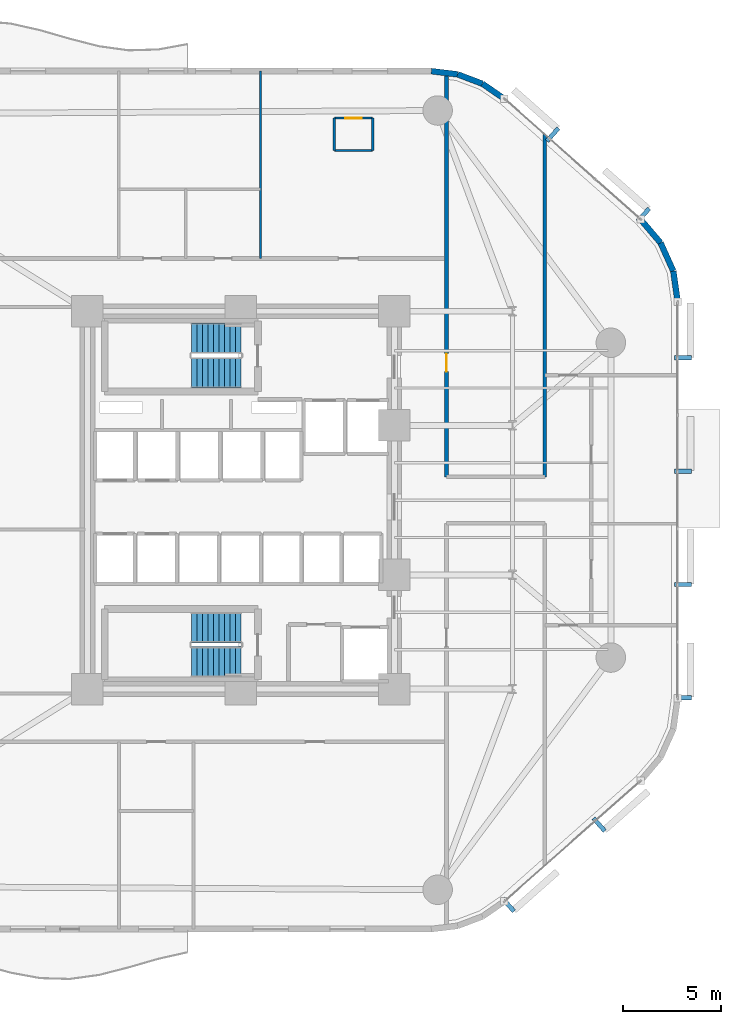
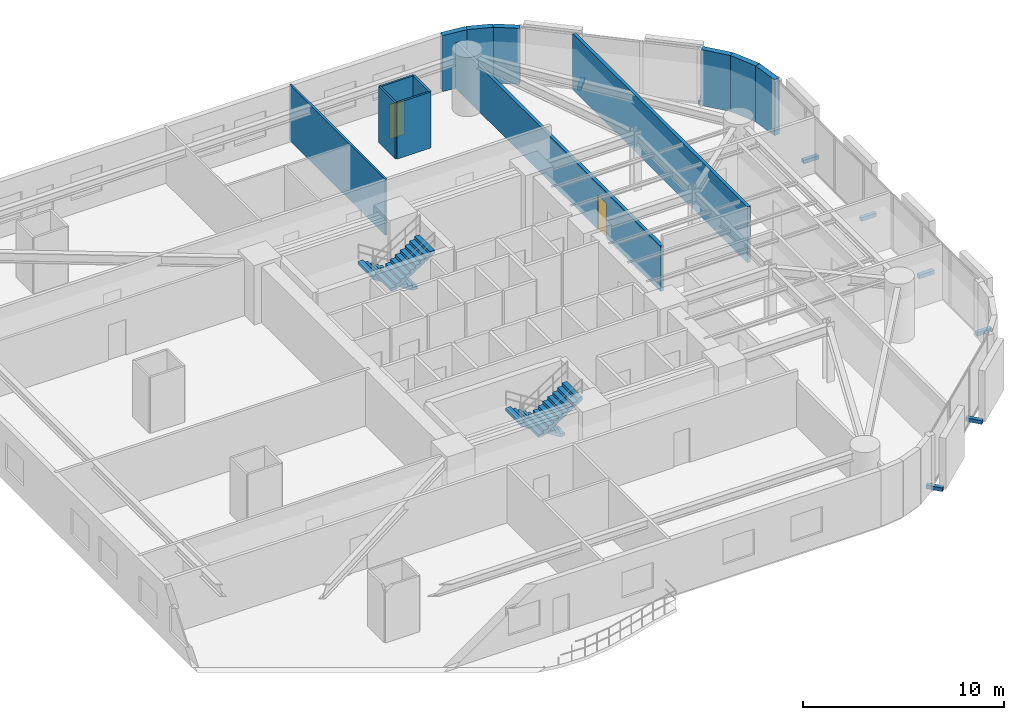
# One storey, part 13 of 16: 13 walls, 8 discrete accessories, 4 stair flights, 2 doors, 2 openings, 2 elements without a shape of their own.
"""IFC4 building model written with IfcOpenShell, lengths in metres."""

from ifc_helpers import new_model, si_unit, direction, frame, frame_2d, origin, origin_2d, place, context, subcontext, project, spatial, polyline, rectangle, outline, extrude, material, layer, layer_set, type_object, element, fill, aggregate, save


model = new_model("IFC4")

# Units and contexts
model_context = context("Model", 3, precision=1e-05, world=origin(), true_north=direction((0.0, 1.0)))
body_context = subcontext(model_context, "Body", "Model", "MODEL_VIEW")
ifc_project = project(units=[si_unit("LENGTHUNIT", "METRE"), si_unit("AREAUNIT", "SQUARE_METRE"), si_unit("VOLUMEUNIT", "CUBIC_METRE"), si_unit("PLANEANGLEUNIT", "RADIAN"), si_unit("MASSUNIT", "GRAM", prefix="KILO")], contexts=[model_context])

# Site, building, storey
site_placement = place(None, origin())
site = spatial("IfcSite", under=ifc_project, at=site_placement, CompositionType="ELEMENT")
building_placement = place(site_placement, origin())
building = spatial("IfcBuilding", under=site, at=building_placement, Name="An Khanh Terracotta Commons", CompositionType="ELEMENT")
storey_placement = place(building_placement, frame((0.0, 0.0, 50.39990234375)))
storey = spatial("IfcBuildingStorey", under=building, at=storey_placement, Name="L13", CompositionType="ELEMENT", Elevation=50.39990234375)

# Wall, opening, door
ifc_material_1 = material(Name="Fire-Rated Gypsum Board on Steel Stud", Category="steel")
ifc_layer_1 = layer(ifc_material_1, 0.179931640625, Name="Fire-Rated Gypsum Board on Steel Stud")
ifc_layer_set_1 = layer_set([ifc_layer_1], Name="Fire-Rated Gypsum Board on Steel Stud")
wall_type_1 = type_object("IfcWallType", Name="WALL-CORR-180", PredefinedType="PARTITIONING", material=ifc_layer_set_1)
wall_1_placement = place(storey_placement, frame((39.85009765625, 25.179931640625, 0.0), z_axis=(0.0, 0.0, 1.0), x_axis=(0.0, 1.0, 0.0)))
wall_1 = element("IfcWall", 1, at=wall_1_placement, inside=storey, type_object=wall_type_1, Name="L13 Interior Partition IW-L13-E021", PredefinedType="PARTITIONING", context=body_context, shape_type="SweptSolid", body=[
    extrude(rectangle(XDim=20.527099609375, YDim=0.179931640625, at=frame_2d((10.263671875, 0.0))), origin(), (0.0, 0.0, 1.0), 2.781982421875),
])
opening_1_placement = place(wall_1_placement, frame((5.35009765625, 0.0, 0.0)))
opening_1 = element("IfcOpeningElement", 2, at=opening_1_placement, cuts=wall_1, Name="Opening D-RM", PredefinedType="OPENING", context=body_context, shape_type="SweptSolid", body=[
    extrude(rectangle(XDim=0.919921875, YDim=2.10009765625, at=frame_2d((0.4599609375, 1.050048828125))), frame((0.0, 0.099853515625, 0.0), z_axis=(0.0, -1.0, 0.0), x_axis=(1.0, 0.0, 0.0)), (0.0, 0.0, 1.0), 0.199951171875),
])
ifc_material_2 = material(Name="Engineered Hardwood Timber Leaf", Category="wood")
door_type_1 = type_object("IfcDoorType", Name="DOOR-INT-920", OperationType="NOTDEFINED", PredefinedType="DOOR", material=ifc_material_2)
door_1_placement = place(opening_1_placement, origin())
door_1 = element("IfcDoor", 3, at=door_1_placement, inside=storey, type_object=door_type_1, Name="L13 NB1 Academic Seminar Room Door", OperationType="SINGLE_SWING_RIGHT", OverallHeight=2.10009765625, OverallWidth=0.919921875, PredefinedType="DOOR", context=body_context, shape_type="SweptSolid", body=[
    extrude(rectangle(XDim=0.919921875, YDim=2.10009765625, at=frame_2d((0.4599609375, 1.050048828125))), frame((0.0, 0.02490234375, 0.0), z_axis=(0.0, -1.0, 0.0), x_axis=(1.0, 0.0, 0.0)), (0.0, 0.0, 1.0), 0.050048828125),
])
fill(opening_1, door_1)

# Walls
wall_2_placement = place(storey_placement, frame((44.85009765625, 25.179931640625, 0.0), z_axis=(0.0, 0.0, 1.0), x_axis=(0.0, 1.0, 0.0)))
element("IfcWall", 4, at=wall_2_placement, inside=storey, type_object=wall_type_1, Name="L13 Interior Partition IW-L13-E023", PredefinedType="PARTITIONING", context=body_context, shape_type="SweptSolid", body=[
    extrude(rectangle(XDim=17.39111328125, YDim=0.179931640625, at=frame_2d((8.695556640625, 0.0))), origin(), (0.0, 0.0, 1.0), 3.400146484375),
])
ifc_material_3 = material(Name="Precast concrete C40/50", Category="concrete")
ifc_layer_2 = layer(ifc_material_3, 0.300048828125, Name="Precast concrete C40/50")
ifc_layer_set_2 = layer_set([ifc_layer_2], Name="Precast concrete C40/50")
wall_type_2 = type_object("IfcWallType", Name="WALL-EXT-300", PredefinedType="SOLIDWALL", material=ifc_layer_set_2)
wall_3_placement = place(storey_placement, frame((51.60009765625, 34.076904296875, 0.0), z_axis=(0.0, 0.0, 1.0), x_axis=(-0.140380048512, 0.990097693149, 0.0)))
element("IfcWall", 5, at=wall_3_placement, inside=storey, type_object=wall_type_2, Name="L13 Insulated Terracotta Exterior Wall 13", PredefinedType="SOLIDWALL", context=body_context, shape_type="SweptSolid", body=[
    extrude(rectangle(XDim=1.57568359375, YDim=0.300048828125, at=frame_2d((0.787841796875, 0.0))), origin(), (0.0, 0.0, 1.0), 3.400146484375),
])
wall_4_placement = place(storey_placement, frame((51.37890625, 35.636962890625, 0.0), z_axis=(0.0, 0.0, 1.0), x_axis=(-0.410996558744, 0.911636895206, 0.0)))
element("IfcWall", 6, at=wall_4_placement, inside=storey, type_object=wall_type_2, Name="L13 Insulated Terracotta Exterior Wall 14", PredefinedType="SOLIDWALL", context=body_context, shape_type="SweptSolid", body=[
    extrude(rectangle(XDim=1.57421875, YDim=0.300048828125, at=frame_2d((0.787109375, 0.0))), origin(), (0.0, 0.0, 1.0), 3.400146484375),
])
wall_5_placement = place(storey_placement, frame((50.73193359375, 37.072021484375, 0.0), z_axis=(0.0, 0.0, 1.0), x_axis=(-0.648389989909, 0.7613083613, 0.0)))
element("IfcWall", 7, at=wall_5_placement, inside=storey, type_object=wall_type_2, Name="L13 Insulated Terracotta Exterior Wall 15", PredefinedType="SOLIDWALL", context=body_context, shape_type="SweptSolid", body=[
    extrude(rectangle(XDim=1.576171875, YDim=0.300048828125, at=frame_2d((0.7880859375, 0.0))), origin(), (0.0, 0.0, 1.0), 3.400146484375),
])
wall_6_placement = place(storey_placement, frame((42.7890625, 44.39404296875, 0.0), z_axis=(0.0, 0.0, 1.0), x_axis=(-0.823116500192, 0.567872544777, 0.0)))
element("IfcWall", 8, at=wall_6_placement, inside=storey, type_object=wall_type_2, Name="L13 Insulated Terracotta Exterior Wall 17", PredefinedType="SOLIDWALL", context=body_context, shape_type="SweptSolid", body=[
    extrude(rectangle(XDim=1.3486328125, YDim=0.300048828125, at=frame_2d((0.67431640625, 0.0))), origin(), (0.0, 0.0, 1.0), 3.400146484375),
])
wall_7_placement = place(storey_placement, frame((41.678955078125, 45.159912109375, 0.0), z_axis=(0.0, 0.0, 1.0), x_axis=(-0.935156721165, 0.354234254216, 0.0)))
element("IfcWall", 9, at=wall_7_placement, inside=storey, type_object=wall_type_2, Name="L13 Insulated Terracotta Exterior Wall 18", PredefinedType="SOLIDWALL", context=body_context, shape_type="SweptSolid", body=[
    extrude(rectangle(XDim=1.349365234375, YDim=0.300048828125, at=frame_2d((0.6748046875, 0.0))), origin(), (0.0, 0.0, 1.0), 3.400146484375),
])
wall_8_placement = place(storey_placement, frame((40.4169921875, 45.637939453125, 0.0), z_axis=(0.0, 0.0, 1.0), x_axis=(-0.992739027259, 0.120288086515, 0.0)))
element("IfcWall", 10, at=wall_8_placement, inside=storey, type_object=wall_type_2, Name="L13 Insulated Terracotta Exterior Wall 19", PredefinedType="SOLIDWALL", context=body_context, shape_type="SweptSolid", body=[
    extrude(rectangle(XDim=1.34765625, YDim=0.300048828125, at=frame_2d((0.673828125, 0.0))), origin(), (0.0, 0.0, 1.0), 3.400146484375),
])

# Wall, opening, door
ifc_material_4 = material(Name="Moisture-Resistant Cement Board Partition")
ifc_layer_3 = layer(ifc_material_4, 0.1201171875, Name="Moisture-Resistant Cement Board Partition")
ifc_layer_set_3 = layer_set([ifc_layer_3], Name="Moisture-Resistant Cement Board Partition")
wall_type_3 = type_object("IfcWallType", Name="WALL-WET-120", PredefinedType="PARTITIONING", material=ifc_layer_set_3)
wall_9_placement = place(storey_placement, frame((34.14990234375, 43.4169921875, 0.0), z_axis=(0.0, 0.0, 1.0), x_axis=(1.0, 0.0, 0.0)))
wall_9 = element("IfcWall", 11, at=wall_9_placement, inside=storey, type_object=wall_type_3, Name="L13 Interior Partition IW-L13-NWE-BN", PredefinedType="PARTITIONING", context=body_context, shape_type="SweptSolid", body=[
    extrude(rectangle(XDim=1.9501953125, YDim=0.1201171875, at=frame_2d((0.97509765625, 0.0))), origin(), (0.0, 0.0, 1.0), 3.400146484375),
])
opening_2_placement = place(wall_9_placement, frame((0.544921875, 0.0, 0.0)))
opening_2 = element("IfcOpeningElement", 12, at=opening_2_placement, cuts=wall_9, Name="Opening D-ENS", PredefinedType="OPENING", context=body_context, shape_type="SweptSolid", body=[
    extrude(rectangle(XDim=0.860107421875, YDim=2.10009765625, at=frame_2d((0.43017578125, 1.050048828125))), frame((0.0, 0.070068359375, 0.0), z_axis=(0.0, -1.0, 0.0), x_axis=(1.0, 0.0, 0.0)), (0.0, 0.0, 1.0), 0.14013671875),
])
ifc_material_5 = material(Name="Moisture-Resistant Hardwood Timber Leaf", Category="wood")
door_type_2 = type_object("IfcDoorType", Name="DOOR-BATH-860", OperationType="NOTDEFINED", PredefinedType="DOOR", material=ifc_material_5)
door_2_placement = place(opening_2_placement, origin())
door_2 = element("IfcDoor", 13, at=door_2_placement, inside=storey, type_object=door_type_2, Name="L13 Studio NWE En-suite Door", OperationType="SINGLE_SWING_LEFT", OverallHeight=2.10009765625, OverallWidth=0.860107421875, PredefinedType="DOOR", context=body_context, shape_type="SweptSolid", body=[
    extrude(rectangle(XDim=0.860107421875, YDim=2.10009765625, at=frame_2d((0.43017578125, 1.050048828125))), frame((0.0, 0.02490234375, 0.0), z_axis=(0.0, -1.0, 0.0), x_axis=(1.0, 0.0, 0.0)), (0.0, 0.0, 1.0), 0.050048828125),
])
fill(opening_2, door_2)

# Walls
wall_10_placement = place(storey_placement, frame((36.10009765625, 41.76708984375, 0.0), z_axis=(0.0, 0.0, 1.0), x_axis=(-1.0, 0.0, 0.0)))
element("IfcWall", 14, at=wall_10_placement, inside=storey, type_object=wall_type_3, Name="L13 Interior Partition IW-L13-NWE-BS", PredefinedType="PARTITIONING", context=body_context, shape_type="SweptSolid", body=[
    extrude(rectangle(XDim=1.9501953125, YDim=0.1201171875, at=frame_2d((0.97509765625, 0.0))), origin(), (0.0, 0.0, 1.0), 3.400146484375),
])
for number, where, z_axis, x_axis, name in (
    (15, (34.14990234375, 43.4169921875, 0.0), (0.0, 0.0, 1.0), (0.0, -1.0, 0.0), "L13 Interior Partition IW-L13-NWE-BW"),
    (16, (36.10009765625, 41.76708984375, 0.0), (0.0, 0.0, 1.0), (0.0, 1.0, 0.0), "L13 Interior Partition IW-L13-NWE-BE"),
):
    element("IfcWall", number, at=place(storey_placement, frame(where, z_axis=z_axis, x_axis=x_axis)), inside=storey, type_object=wall_type_3, Name=name, PredefinedType="PARTITIONING", context=body_context, shape_type="SweptSolid", body=[
        extrude(rectangle(XDim=1.64990234375, YDim=0.1201171875, at=frame_2d((0.824951171875, 0.0))), origin(), (0.0, 0.0, 1.0), 3.400146484375),
    ])
wall_11_placement = place(storey_placement, frame((30.39990234375, 36.280029296875, 0.0), z_axis=(0.0, 0.0, 1.0), x_axis=(0.0, 1.0, 0.0)))
element("IfcWall", 17, at=wall_11_placement, inside=storey, type_object=wall_type_3, Name="L13 Interior Partition IW-L13-E019", PredefinedType="PARTITIONING", context=body_context, shape_type="SweptSolid", body=[
    extrude(rectangle(XDim=9.52001953125, YDim=0.1201171875, at=frame_2d((4.760009765625, 0.0))), origin(), (0.0, 0.0, 1.0), 3.400146484375),
])

# Stair, stair flights
stair_type = type_object("IfcStairType", Name="STAIR-CORE-1550", PredefinedType="HALF_TURN_STAIR", material=ifc_material_3)
stair_1_placement = place(storey_placement, origin())
stair_1 = element("IfcStair", 18, at=stair_1_placement, inside=storey, type_object=stair_type, Name="L13 Core Smokeproof Exit Stair ST-01", PredefinedType="HALF_TURN_STAIR")
stair_flight_type = type_object("IfcStairFlightType", Name="FLIGHT-CORE-1550", PredefinedType="STRAIGHT", material=ifc_material_3)
stair_flight_1_placement = place(storey_placement, frame((29.409912109375, 32.22509765625, 0.0), z_axis=(0.0, 0.0, 1.0), x_axis=(-1.0, 0.0, 0.0)))
stair_flight_1 = element("IfcStairFlight", 19, at=stair_flight_1_placement, type_object=stair_flight_type, Name="ST-01 flight 1", NumberOfRisers=10, NumberOfTreads=9, PredefinedType="STRAIGHT", RiserHeight=0.18, TreadLength=0.28, context=body_context, shape_type="SweptSolid", body=[
    extrude(outline(polyline([(0.0, 0.0), (0.0, 0.179931640625), (0.280029296875, 0.179931640625), (0.280029296875, 0.360107421875), (0.56005859375, 0.360107421875), (0.56005859375, 0.5400390625), (0.840087890625, 0.5400390625), (0.840087890625, 0.719970703125), (1.1201171875, 0.719970703125), (1.1201171875, 0.89990234375), (1.39990234375, 0.89990234375), (1.39990234375, 1.080078125), (1.679931640625, 1.080078125), (1.679931640625, 1.260009765625), (1.9599609375, 1.260009765625), (1.9599609375, 1.43994140625), (2.239990234375, 1.43994140625), (2.239990234375, 1.6201171875), (2.52001953125, 1.6201171875), (2.52001953125, 1.800048828125), (2.52001953125, 1.44189453125), (0.277099609375, 0.0), (0.0, 0.0)])), frame((0.0, 0.77490234375, 0.0), z_axis=(0.0, -1.0, 0.0), x_axis=(1.0, 0.0, 0.0)), (0.0, 0.0, 1.0), 1.550048828125),
])
stair_flight_2_placement = place(storey_placement, frame((26.889892578125, 30.47509765625, 1.800048828125), z_axis=(0.0, 0.0, 1.0), x_axis=(1.0, 0.0, 0.0)))
stair_flight_2 = element("IfcStairFlight", 20, at=stair_flight_2_placement, type_object=stair_flight_type, Name="ST-01 flight 2", NumberOfRisers=10, NumberOfTreads=9, PredefinedType="STRAIGHT", RiserHeight=0.18, TreadLength=0.28, context=body_context, shape_type="SweptSolid", body=[
    extrude(outline(polyline([(0.0, 0.0), (0.0, 0.179931640625), (0.280029296875, 0.179931640625), (0.280029296875, 0.360107421875), (0.56005859375, 0.360107421875), (0.56005859375, 0.5400390625), (0.840087890625, 0.5400390625), (0.840087890625, 0.719970703125), (1.1201171875, 0.719970703125), (1.1201171875, 0.89990234375), (1.39990234375, 0.89990234375), (1.39990234375, 1.080078125), (1.679931640625, 1.080078125), (1.679931640625, 1.260009765625), (1.9599609375, 1.260009765625), (1.9599609375, 1.43994140625), (2.239990234375, 1.43994140625), (2.239990234375, 1.6201171875), (2.52001953125, 1.6201171875), (2.52001953125, 1.800048828125), (2.52001953125, 1.44189453125), (0.277099609375, 0.0), (0.0, 0.0)])), frame((0.0, 0.77490234375, 0.0), z_axis=(0.0, -1.0, 0.0), x_axis=(1.0, 0.0, 0.0)), (0.0, 0.0, 1.0), 1.550048828125),
])
aggregate(stair_1, [stair_flight_1, stair_flight_2])

stair_2_placement = place(storey_placement, origin())
stair_2 = element("IfcStair", 21, at=stair_2_placement, inside=storey, type_object=stair_type, Name="L13 Core Smokeproof Exit Stair ST-02", PredefinedType="HALF_TURN_STAIR")
stair_flight_3_placement = place(storey_placement, frame((29.409912109375, 17.52490234375, 0.0), z_axis=(0.0, 0.0, 1.0), x_axis=(-1.0, 0.0, 0.0)))
stair_flight_3 = element("IfcStairFlight", 22, at=stair_flight_3_placement, type_object=stair_flight_type, Name="ST-02 flight 1", NumberOfRisers=10, NumberOfTreads=9, PredefinedType="STRAIGHT", RiserHeight=0.18, TreadLength=0.28, context=body_context, shape_type="SweptSolid", body=[
    extrude(outline(polyline([(0.0, 0.0), (0.0, 0.179931640625), (0.280029296875, 0.179931640625), (0.280029296875, 0.360107421875), (0.56005859375, 0.360107421875), (0.56005859375, 0.5400390625), (0.840087890625, 0.5400390625), (0.840087890625, 0.719970703125), (1.1201171875, 0.719970703125), (1.1201171875, 0.89990234375), (1.39990234375, 0.89990234375), (1.39990234375, 1.080078125), (1.679931640625, 1.080078125), (1.679931640625, 1.260009765625), (1.9599609375, 1.260009765625), (1.9599609375, 1.43994140625), (2.239990234375, 1.43994140625), (2.239990234375, 1.6201171875), (2.52001953125, 1.6201171875), (2.52001953125, 1.800048828125), (2.52001953125, 1.44189453125), (0.277099609375, 0.0), (0.0, 0.0)])), frame((0.0, 0.77490234375, 0.0), z_axis=(0.0, -1.0, 0.0), x_axis=(1.0, 0.0, 0.0)), (0.0, 0.0, 1.0), 1.550048828125),
])
stair_flight_4_placement = place(storey_placement, frame((26.889892578125, 15.77490234375, 1.800048828125), z_axis=(0.0, 0.0, 1.0), x_axis=(1.0, 0.0, 0.0)))
stair_flight_4 = element("IfcStairFlight", 23, at=stair_flight_4_placement, type_object=stair_flight_type, Name="ST-02 flight 2", NumberOfRisers=10, NumberOfTreads=9, PredefinedType="STRAIGHT", RiserHeight=0.18, TreadLength=0.28, context=body_context, shape_type="SweptSolid", body=[
    extrude(outline(polyline([(0.0, 0.0), (0.0, 0.179931640625), (0.280029296875, 0.179931640625), (0.280029296875, 0.360107421875), (0.56005859375, 0.360107421875), (0.56005859375, 0.5400390625), (0.840087890625, 0.5400390625), (0.840087890625, 0.719970703125), (1.1201171875, 0.719970703125), (1.1201171875, 0.89990234375), (1.39990234375, 0.89990234375), (1.39990234375, 1.080078125), (1.679931640625, 1.080078125), (1.679931640625, 1.260009765625), (1.9599609375, 1.260009765625), (1.9599609375, 1.43994140625), (2.239990234375, 1.43994140625), (2.239990234375, 1.6201171875), (2.52001953125, 1.6201171875), (2.52001953125, 1.800048828125), (2.52001953125, 1.44189453125), (0.277099609375, 0.0), (0.0, 0.0)])), frame((0.0, 0.77490234375, 0.0), z_axis=(0.0, -1.0, 0.0), x_axis=(1.0, 0.0, 0.0)), (0.0, 0.0, 1.0), 1.550048828125),
])
aggregate(stair_2, [stair_flight_3, stair_flight_4])

# Discrete accessories
ifc_material_6 = material(Name="Stainless Steel Grade 316L", Category="steel")
discrete_accessory_type = type_object("IfcDiscreteAccessoryType", Name="Stainless Outrigger Facade Bracket", PredefinedType="BRACKET", material=ifc_material_6)
for number, where, z_axis, x_axis, name in (
    (24, (42.990966796875, 3.430908203125, 0.0703125), (0.0, 0.0, 1.0), (0.749019284633, 0.662548195415, 0.0), "L13 Terracotta Screen Outrigger Bracket 1"),
    (25, (47.60498046875, 7.511962890625, 0.0703125), (0.0, 0.0, 1.0), (0.749019284633, 0.662548195415, 0.0), "L13 Terracotta Screen Outrigger Bracket 3"),
    (26, (51.864990234375, 13.9580078125, 0.0703125), (0.0, 0.0, 1.0), (0.0, 1.0, 0.0), "L13 Terracotta Screen Outrigger Bracket 1"),
    (27, (51.864990234375, 19.716064453125, 0.0703125), (0.0, 0.0, 1.0), (0.0, 1.0, 0.0), "L13 Terracotta Screen Outrigger Bracket 3"),
    (28, (51.864990234375, 25.47509765625, 0.0703125), (0.0, 0.0, 1.0), (0.0, 1.0, 0.0), "L13 Terracotta Screen Outrigger Bracket 5"),
    (29, (51.864990234375, 31.23291015625, 0.0703125), (0.0, 0.0, 1.0), (0.0, 1.0, 0.0), "L13 Terracotta Screen Outrigger Bracket 7"),
    (30, (49.85888671875, 38.493896484375, 0.0703125), (0.0, 0.0, 1.0), (-0.749019284633, 0.662548195415, 0.0), "L13 Terracotta Screen Outrigger Bracket 1"),
    (31, (45.2451171875, 42.574951171875, 0.0703125), (0.0, 0.0, 1.0), (-0.749019284633, 0.662548195415, 0.0), "L13 Terracotta Screen Outrigger Bracket 3"),
):
    element("IfcDiscreteAccessory", number, at=place(storey_placement, frame(where, z_axis=z_axis, x_axis=x_axis)), inside=storey, type_object=discrete_accessory_type, Name=name, PredefinedType="BRACKET", context=body_context, shape_type="SweptSolid", body=[
        extrude(rectangle(XDim=0.219970703125, YDim=0.8701171875, at=origin_2d()), origin(), (0.0, 0.0, 1.0), 0.219970703125),
    ])

save(model, "model.ifc")
